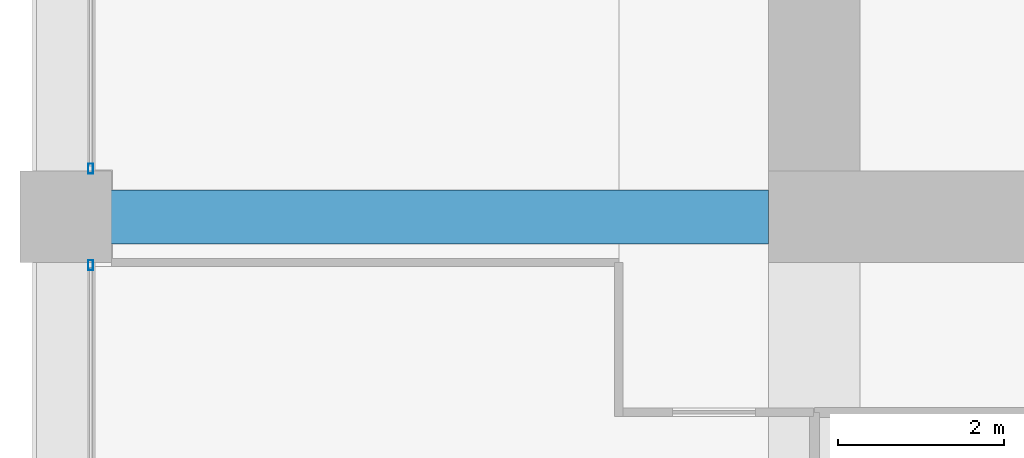
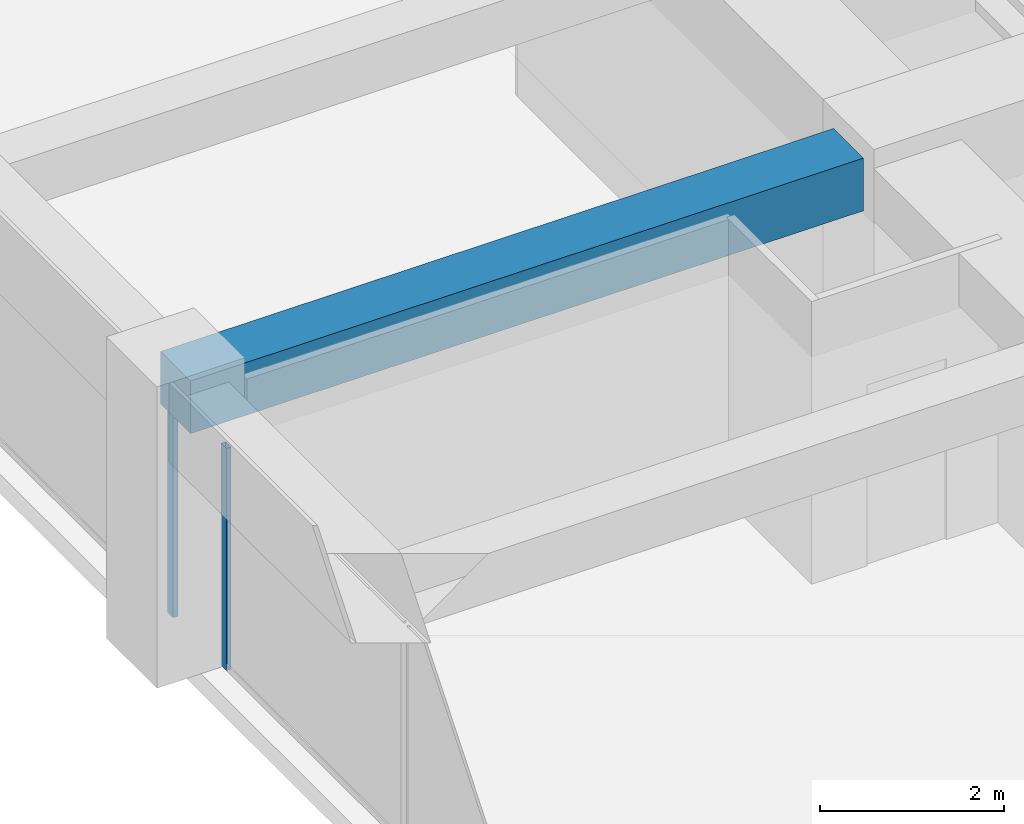
# One storey, part 13 of 44: 2 members, 1 beam, 2 elements without a shape of their own.
"""IFC4 building model written with IfcOpenShell, lengths in metres."""

import ifcopenshell
import ifcopenshell.guid

model = None  # the IFC model being written
_history = None  # IfcOwnerHistory: only IFC2X3 demands one
_inside = {}  # id of a spatial element -> (the spatial element, [elements in it])
_under = {}  # id of a project, library or spatial element -> (it, [spatial elements below it])
_declared = {}  # id of a project -> (the project, [libraries it declares])
_typed = {}  # id of a type object -> (the type object, [elements of that type])
_made_of = {}  # id of a material, layer set ... -> (it, [elements and type objects made of it])


def new_model(schema):
    """Start an empty IFC model of exactly this schema.

    Asked for "IFC4X3", IfcOpenShell would pick the latest addendum, in which some entities
    have other attributes; the version numbers below select the first issue.
    IFC2X3 requires an IfcOwnerHistory on every rooted entity: one is made here for all.
    """
    global model, _history
    if schema == "IFC4X3":
        model = ifcopenshell.file(schema_version=(4, 3, 0, 0))
    else:
        model = ifcopenshell.file(schema=schema)
    _inside.clear()
    _under.clear()
    _declared.clear()
    _typed.clear()
    _made_of.clear()
    _history = None
    if model.schema == "IFC2X3":
        org = make("IfcOrganization", Name="unknown")
        user = make(
            "IfcPersonAndOrganization",
            ThePerson=make("IfcPerson", FamilyName="unknown"),
            TheOrganization=org,
        )
        app = make(
            "IfcApplication",
            ApplicationDeveloper=org,
            Version="unknown",
            ApplicationFullName="unknown",
            ApplicationIdentifier="unknown",
        )
        _history = make(
            "IfcOwnerHistory",
            OwningUser=user,
            OwningApplication=app,
            ChangeAction="ADDED",
            CreationDate=0,
        )
    return model


def make(cls, **values):
    """One entity of the class cls with the attributes given. An attribute that is None is left unset."""
    return model.create_entity(
        cls, **{name: value for name, value in values.items() if value is not None}
    )


def rooted(cls, **values):
    """An entity with a GlobalId (a new one), such as an element, a storey or a relation."""
    return make(cls, GlobalId=ifcopenshell.guid.new(), OwnerHistory=_history, **values)


def si_unit(unit_type, name, prefix=None):
    """IfcSIUnit, for example si_unit("LENGTHUNIT", "METRE", prefix="MILLI")."""
    return make("IfcSIUnit", UnitType=unit_type, Prefix=prefix, Name=name)


def assignment(units):
    """IfcUnitAssignment: the units of a project."""
    return None if units is None else make("IfcUnitAssignment", Units=units)


def point(xyz):
    """IfcCartesianPoint."""
    return None if xyz is None else make("IfcCartesianPoint", Coordinates=xyz)


def direction(xyz):
    """IfcDirection."""
    return None if xyz is None else make("IfcDirection", DirectionRatios=xyz)


def frame(location, z_axis=None, x_axis=None):
    """IfcAxis2Placement3D, a coordinate frame: its origin and axes. An axis left out is left unset."""
    return make(
        "IfcAxis2Placement3D",
        Location=point(location),
        Axis=direction(z_axis),
        RefDirection=direction(x_axis),
    )


def frame_2d(location, x_axis=None):
    """IfcAxis2Placement2D, a coordinate frame in the plane: its origin and x axis."""
    return make(
        "IfcAxis2Placement2D", Location=point(location), RefDirection=direction(x_axis)
    )


def origin():
    """The frame at (0, 0, 0) with its axes left unset."""
    return frame((0.0, 0.0, 0.0))


def origin_2d():
    """The frame at (0, 0) in the plane with its x axis left unset."""
    return frame_2d((0.0, 0.0))


def place(relative_to, where):
    """IfcLocalPlacement: puts the frame where relative to a parent placement (None: the world)."""
    return make(
        "IfcLocalPlacement", PlacementRelTo=relative_to, RelativePlacement=where
    )


def context(
    kind, dimensions, precision=None, world=None, true_north=None, identifier=None
):
    """IfcGeometricRepresentationContext, for example the 3D "Model" context."""
    return make(
        "IfcGeometricRepresentationContext",
        ContextIdentifier=identifier,
        ContextType=kind,
        CoordinateSpaceDimension=dimensions,
        Precision=precision,
        WorldCoordinateSystem=world,
        TrueNorth=true_north,
    )


def subcontext(parent, identifier, kind, view, scale=None):
    """IfcGeometricRepresentationSubContext, for example "Body" below "Model"."""
    return make(
        "IfcGeometricRepresentationSubContext",
        ContextIdentifier=identifier,
        ContextType=kind,
        ParentContext=parent,
        TargetScale=scale,
        TargetView=view,
    )


def project(units=None, contexts=None):
    """IfcProject with its units and contexts."""
    return rooted(
        "IfcProject",
        Name="project",
        RepresentationContexts=contexts,
        UnitsInContext=assignment(units),
    )


def spatial(cls, under=None, at=None, **own):
    """A site, building, storey or space (cls), placed at a placement, below another one or the project."""
    s = rooted(cls, ObjectPlacement=at, **own)
    if under is not None:
        _under.setdefault(under.id(), (under, []))[1].append(s)
    return s


def profile(cls, at=None, kind="AREA", **sizes):
    """A parametric profile (cls). Its sizes go by their IFC names, for example OverallWidth=200.0."""
    return make(cls, ProfileType=kind, Position=at, **sizes)


def rectangle(**sizes):
    """IfcRectangleProfileDef."""
    return profile("IfcRectangleProfileDef", **sizes)


def hollow_rectangle(**sizes):
    """IfcRectangleHollowProfileDef."""
    return profile("IfcRectangleHollowProfileDef", **sizes)


def extrude(swept, where, along, depth):
    """IfcExtrudedAreaSolid: the profile swept, set in the frame where, extruded along a direction by depth."""
    return make(
        "IfcExtrudedAreaSolid",
        SweptArea=swept,
        Position=where,
        ExtrudedDirection=direction(along),
        Depth=depth,
    )


def shape(context_of_items, identifier, shape_type, items):
    """IfcShapeRepresentation: the items that make up one representation, for example the "Body"."""
    return make(
        "IfcShapeRepresentation",
        ContextOfItems=context_of_items,
        RepresentationIdentifier=identifier,
        RepresentationType=shape_type,
        Items=items,
    )


def material(Name=None, Category=None):
    """IfcMaterial."""
    return make("IfcMaterial", Name=Name, Category=Category)


def material_profile(
    of_material, cross_section, Name=None, Category=None, Priority=None
):
    """IfcMaterialProfile: a cross section and its material."""
    return make(
        "IfcMaterialProfile",
        Name=Name,
        Material=of_material,
        Profile=cross_section,
        Priority=Priority,
        Category=Category,
    )


def profile_set(profiles, Name=None, composite=None):
    """IfcMaterialProfileSet."""
    return make(
        "IfcMaterialProfileSet",
        Name=Name,
        MaterialProfiles=profiles,
        CompositeProfile=composite,
    )


def made_of(thing, what):
    """Note that an element or type object is made of a material, layer set ...; save() writes the relation."""
    if what is not None:
        _made_of.setdefault(what.id(), (what, []))[1].append(thing)
    return thing


def type_object(cls, material=None, **own):
    """A type object (cls), such as IfcWallType, which elements share."""
    return made_of(rooted(cls, **own), material)


def element(
    cls,
    number,
    at=None,
    inside=None,
    cuts=None,
    type_object=None,
    material=None,
    context=None,
    identifier="Body",
    shape_type=None,
    held_by="IfcProductDefinitionShape",
    body=None,
    shapes=None,
    **own,
):
    """One element of the class cls, such as IfcWall. Its Tag is "e" and its number.

    at: its placement. inside: the storey or other place that contains it. cuts: it is an
    opening in that element (IfcRelVoidsElement). A single representation is given by context,
    identifier, shape_type and body (its items); several are given by shapes. held_by: the class
    of the entity that holds the representations. save() writes the other relations.
    """
    e = rooted(cls, Tag="e%d" % number, ObjectPlacement=at, **own)
    if body is not None:
        shapes = [shape(context, identifier, shape_type, body)]
    if shapes is not None:
        e.Representation = make(held_by, Representations=shapes)
    if inside is not None:
        _inside.setdefault(inside.id(), (inside, []))[1].append(e)
    if cuts is not None:
        rooted(
            "IfcRelVoidsElement", RelatingBuildingElement=cuts, RelatedOpeningElement=e
        )
    if type_object is not None:
        _typed.setdefault(type_object.id(), (type_object, []))[1].append(e)
    return made_of(e, material)


def aggregate(whole, parts):
    """IfcRelAggregates: a whole, such as a stair, and the parts it consists of."""
    return rooted("IfcRelAggregates", RelatingObject=whole, RelatedObjects=parts)


def save(model, path):
    """Write the relations noted so far, then the file.

    IfcRelAggregates (storeys below a building ...), IfcRelContainedInSpatialStructure (elements
    in a storey), IfcRelDefinesByType, IfcRelAssociatesMaterial and IfcRelDeclares: one each for
    every whole, place, type object, material and project.
    """
    for whole, parts in _under.values():
        aggregate(whole, parts)
    for where, things in _inside.values():
        rooted(
            "IfcRelContainedInSpatialStructure",
            RelatedElements=things,
            RelatingStructure=where,
        )
    for kind, things in _typed.values():
        rooted("IfcRelDefinesByType", RelatedObjects=things, RelatingType=kind)
    for what, things in _made_of.values():
        rooted("IfcRelAssociatesMaterial", RelatedObjects=things, RelatingMaterial=what)
    for by, libraries in _declared.values():
        rooted("IfcRelDeclares", RelatingContext=by, RelatedDefinitions=libraries)
    model.write(path)


model = new_model("IFC4")

# Units and contexts
model_context = context("Model", 3, precision=1e-05, world=origin(), true_north=direction((0.0, 1.0)))
body_context = subcontext(model_context, "Body", "Model", "MODEL_VIEW")
ifc_project = project(units=[si_unit("LENGTHUNIT", "METRE"), si_unit("AREAUNIT", "SQUARE_METRE"), si_unit("VOLUMEUNIT", "CUBIC_METRE"), si_unit("PLANEANGLEUNIT", "RADIAN"), si_unit("MASSUNIT", "GRAM", prefix="KILO")], contexts=[model_context])

# Site, building, storey
site_placement = place(None, origin())
site = spatial("IfcSite", under=ifc_project, at=site_placement, CompositionType="ELEMENT")
building_placement = place(site_placement, origin())
building = spatial("IfcBuilding", under=site, at=building_placement, Name="Zorevar Civic Tower", CompositionType="ELEMENT")
storey_placement = place(building_placement, frame((0.0, 0.0, 255.39990234375)))
storey = spatial("IfcBuildingStorey", under=building, at=storey_placement, Name="L62", CompositionType="ELEMENT", Elevation=255.39990234375)

# Beam
ifc_material_1 = material(Name="Concrete C50/60", Category="concrete")
ifc_material_profile_1 = material_profile(ifc_material_1, rectangle(XDim=0.64990234375, YDim=0.699951171875, at=origin_2d()), Name="RC 650x700")
ifc_profile_set_1 = profile_set([ifc_material_profile_1], Name="Concrete C50/60")
beam_type = type_object("IfcBeamType", Name="Beam RC 650x700", PredefinedType="BEAM", material=ifc_profile_set_1)
beam_placement = place(storey_placement, frame((9.0, 18.0, 3.400146484375), z_axis=(1.0, 0.0, 0.0), x_axis=(0.0, 1.0, 0.0)))
element("IfcBeam", 1, at=beam_placement, inside=storey, type_object=beam_type, Name="Girder L63", PredefinedType="BEAM", context=body_context, shape_type="SweptSolid", body=[
    extrude(rectangle(XDim=0.64990234375, YDim=0.699951171875, at=origin_2d()), origin(), (0.0, 0.0, 1.0), 8.449951171875),
])

# Curtain wall, member
ifc_material_2 = material(Name="Dark grey solar-control glass in black aluminium frame", Category="aluminium")
curtain_wall_type = type_object("IfcCurtainWallType", Name="Curtain wall CW5 top zone", PredefinedType="NOTDEFINED", material=ifc_material_2)
curtain_wall_1_placement = place(storey_placement, origin())
curtain_wall_1 = element("IfcCurtainWall", 2, at=curtain_wall_1_placement, inside=storey, type_object=curtain_wall_type, Name="CW5 L62", PredefinedType="NOTDEFINED")
ifc_material_3 = material(Name="Aluminium, black anodised", Category="aluminium")
ifc_material_profile_2 = material_profile(ifc_material_3, hollow_rectangle(XDim=0.06005859375, YDim=0.1201171875, WallThickness=0.0029296875, at=origin_2d()), Name="AL 120x60x3")
ifc_profile_set_2 = profile_set([ifc_material_profile_2], Name="Aluminium, black anodised")
member_type = type_object("IfcMemberType", Name="CW5 mullion AL 120x60x3", PredefinedType="MULLION", material=ifc_profile_set_2)
member_1_placement = place(storey_placement, frame((9.300048828125, 17.419921875, 0.0), z_axis=(0.0, 0.0, 1.0), x_axis=(-1.0, 0.0, 0.0)))
member_1 = element("IfcMember", 3, at=member_1_placement, type_object=member_type, Name="CW5 mullion 3", PredefinedType="MULLION", context=body_context, shape_type="SweptSolid", body=[
    extrude(hollow_rectangle(XDim=0.06005859375, YDim=0.1201171875, WallThickness=0.0029296875, at=origin_2d()), origin(), (0.0, 0.0, 1.0), 2.9501953125),
])
aggregate(curtain_wall_1, [member_1])

curtain_wall_2_placement = place(storey_placement, origin())
curtain_wall_2 = element("IfcCurtainWall", 4, at=curtain_wall_2_placement, inside=storey, type_object=curtain_wall_type, Name="CW5 L62", PredefinedType="NOTDEFINED")
member_2_placement = place(storey_placement, frame((9.300048828125, 18.580078125, 0.0), z_axis=(0.0, 0.0, 1.0), x_axis=(-1.0, 0.0, 0.0)))
member_2 = element("IfcMember", 5, at=member_2_placement, type_object=member_type, Name="CW5 mullion 1", PredefinedType="MULLION", context=body_context, shape_type="SweptSolid", body=[
    extrude(hollow_rectangle(XDim=0.06005859375, YDim=0.1201171875, WallThickness=0.0029296875, at=origin_2d()), origin(), (0.0, 0.0, 1.0), 2.9501953125),
])
aggregate(curtain_wall_2, [member_2])

save(model, "model.ifc")
